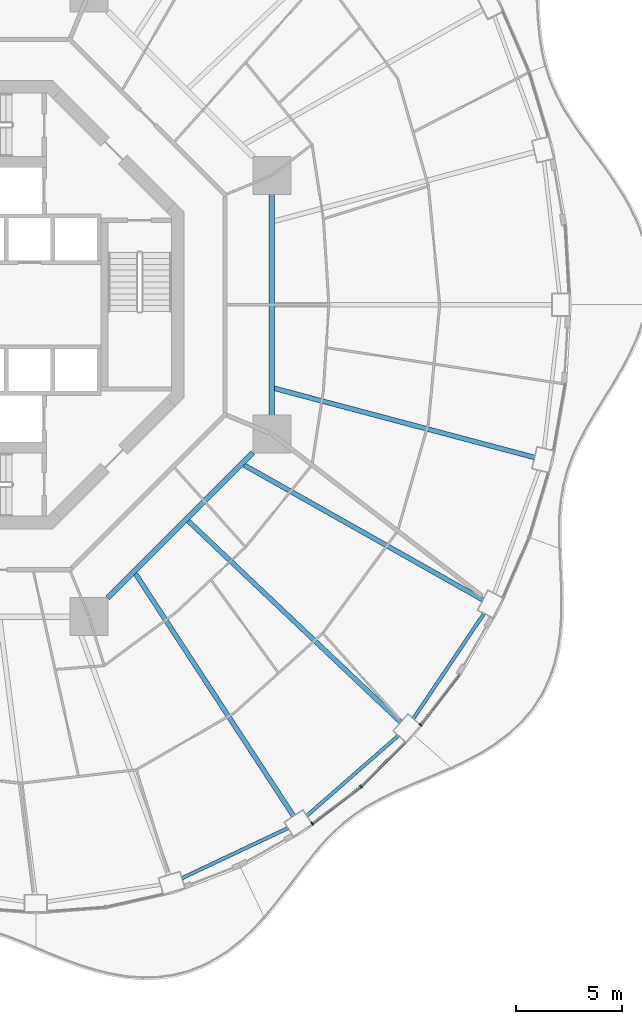
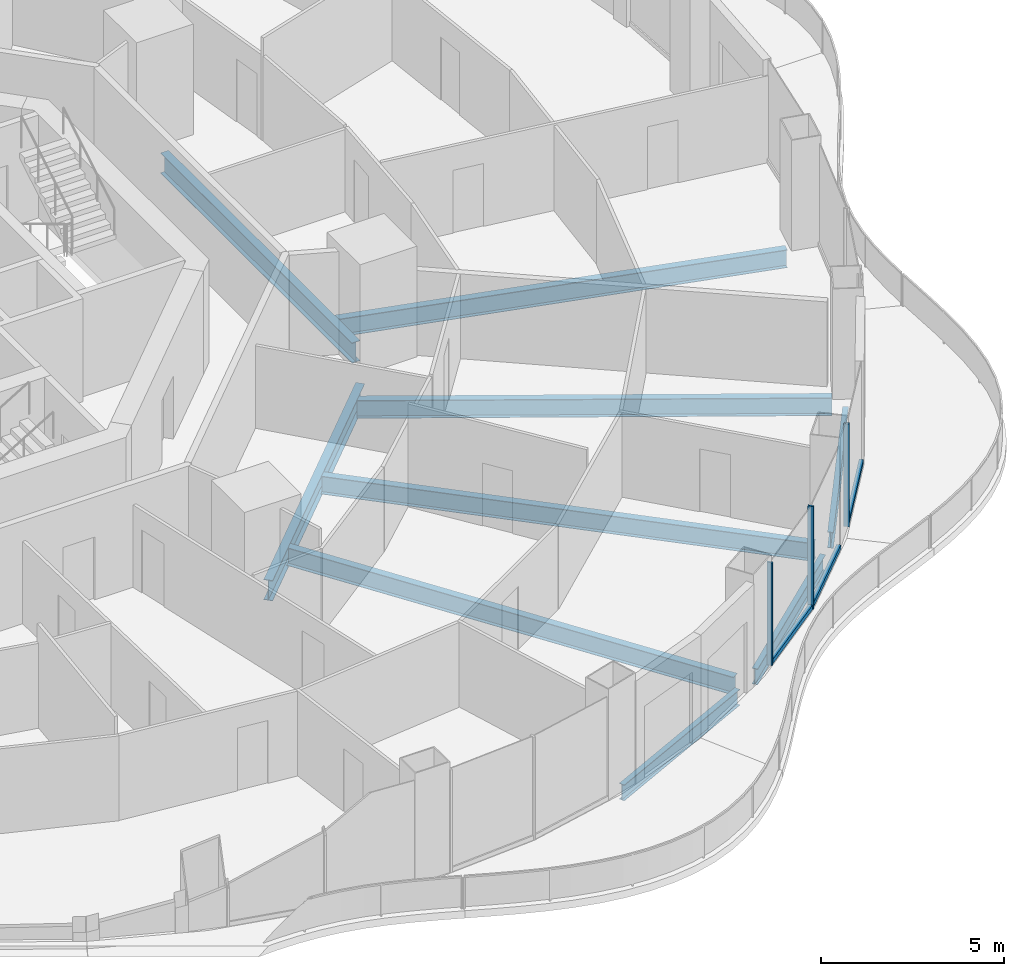
# One storey, part 4 of 19: 9 beams, 6 members, 3 elements without a shape of their own.
"""IFC4 building model written with IfcOpenShell, lengths in metres."""

from ifc_helpers import new_model, si_unit, direction, frame, origin, origin_2d, place, context, subcontext, project, spatial, rectangle, i_section, extrude, material, layer, layer_set, material_profile, profile_set, type_object, element, aggregate, save


model = new_model("IFC4")

# Units and contexts
model_context = context("Model", 3, precision=1e-05, world=origin(), true_north=direction((0.0, 1.0)))
body_context = subcontext(model_context, "Body", "Model", "MODEL_VIEW")
ifc_project = project(units=[si_unit("LENGTHUNIT", "METRE"), si_unit("AREAUNIT", "SQUARE_METRE"), si_unit("VOLUMEUNIT", "CUBIC_METRE"), si_unit("PLANEANGLEUNIT", "RADIAN"), si_unit("MASSUNIT", "GRAM", prefix="KILO")], contexts=[model_context])

# Site, building, storey
site_placement = place(None, origin())
site = spatial("IfcSite", under=ifc_project, at=site_placement, CompositionType="ELEMENT")
building_placement = place(site_placement, origin())
building = spatial("IfcBuilding", under=site, at=building_placement, Name="Nagisa Residences", CompositionType="ELEMENT")
storey_placement = place(building_placement, frame((0.0, 0.0, 184.39990234375)))
storey = spatial("IfcBuildingStorey", under=building, at=storey_placement, Name="L46", CompositionType="ELEMENT", Elevation=184.39990234375)

# Curtain wall, member
ifc_material_1 = material(Name="Concrete-coloured aluminium curtain wall system", Category="concrete")
ifc_layer = layer(ifc_material_1, 0.159912109375)
ifc_layer_set = layer_set([ifc_layer], Name="CW1 CURTAIN WALL")
curtain_wall_type = type_object("IfcCurtainWallType", Name="CW1 CURTAIN WALL", PredefinedType="NOTDEFINED", material=ifc_layer_set)
curtain_wall_1_placement = place(storey_placement, origin())
curtain_wall_1 = element("IfcCurtainWall", 1, at=curtain_wall_1_placement, inside=storey, type_object=curtain_wall_type, Name="cw:CW1:L46:40", PredefinedType="NOTDEFINED")
ifc_material_2 = material(Name="Concrete-coloured aluminium", Category="concrete")
ifc_material_profile_1 = material_profile(ifc_material_2, rectangle(XDim=0.159912109375, YDim=0.06005859375, at=origin_2d()), Name="CW1 MULLION 160x60")
ifc_profile_set_1 = profile_set([ifc_material_profile_1], Name="Concrete-coloured aluminium")
member_type_1 = type_object("IfcMemberType", Name="CW1 MULLION 160x60", PredefinedType="MULLION", material=ifc_profile_set_1)
member_1_placement = place(storey_placement, frame((16.70068359375, -24.591796875, 0.0), z_axis=(0.0, 0.0, 1.0), x_axis=(-0.605255421737, 0.79603132756, 0.0)))
member_1 = element("IfcMember", 2, at=member_1_placement, type_object=member_type_1, Name="CW1 mullion", PredefinedType="MULLION", context=body_context, shape_type="SweptSolid", body=[
    extrude(rectangle(XDim=0.159912109375, YDim=0.06005859375, at=origin_2d()), origin(), (0.0, 0.0, 1.0), 3.440185546875),
])

curtain_wall_2_placement = place(storey_placement, origin())
curtain_wall_2 = element("IfcCurtainWall", 3, at=curtain_wall_2_placement, inside=storey, type_object=curtain_wall_type, Name="cw:CW1:L46:41", PredefinedType="NOTDEFINED")
member_2_placement = place(storey_placement, frame((19.011962890625, -22.830322265625, 0.0), z_axis=(0.0, 0.0, 1.0), x_axis=(-0.706376885714, 0.707835924016, 0.0)))
member_2 = element("IfcMember", 4, at=member_2_placement, type_object=member_type_1, Name="CW1 mullion", PredefinedType="MULLION", context=body_context, shape_type="SweptSolid", body=[
    extrude(rectangle(XDim=0.159912109375, YDim=0.06005859375, at=origin_2d()), origin(), (0.0, 0.0, 1.0), 3.440185546875),
])

curtain_wall_3_placement = place(storey_placement, origin())
curtain_wall_3 = element("IfcCurtainWall", 5, at=curtain_wall_3_placement, inside=storey, type_object=curtain_wall_type, Name="cw:CW1:L46:42", PredefinedType="NOTDEFINED")
member_3_placement = place(storey_placement, frame((21.83349609375, -19.909423828125, 0.0), z_axis=(0.0, 0.0, 1.0), x_axis=(-0.792070340816, 0.610429828235, 0.0)))
member_3 = element("IfcMember", 6, at=member_3_placement, type_object=member_type_1, Name="CW1 mullion", PredefinedType="MULLION", context=body_context, shape_type="SweptSolid", body=[
    extrude(rectangle(XDim=0.159912109375, YDim=0.06005859375, at=origin_2d()), origin(), (0.0, 0.0, 1.0), 3.440185546875),
])

# Member
ifc_material_3 = material(Name="Concrete-coloured aluminium", Category="concrete")
ifc_material_profile_2 = material_profile(ifc_material_3, rectangle(XDim=0.1201171875, YDim=0.14990234375, at=origin_2d()), Name="CW1 TRANSOM 120x150")
ifc_profile_set_2 = profile_set([ifc_material_profile_2], Name="Concrete-coloured aluminium")
member_type_2 = type_object("IfcMemberType", Name="CW1 TRANSOM 120x150", PredefinedType="USERDEFINED", material=ifc_profile_set_2)
member_4_placement = place(storey_placement, frame((16.677001953125, -24.60986328125, 0.0751953125), z_axis=(0.796025072301, 0.60526364856, 0.0), x_axis=(-0.60526364856, 0.796025072301, 0.0)))
member_4 = element("IfcMember", 7, at=member_4_placement, type_object=member_type_2, Name="CW1 transom", ObjectType="TRANSOM", PredefinedType="USERDEFINED", context=body_context, shape_type="SweptSolid", body=[
    extrude(rectangle(XDim=0.1201171875, YDim=0.14990234375, at=origin_2d()), origin(), (0.0, 0.0, 1.0), 2.916748046875),
])

aggregate(curtain_wall_1, [member_1, member_4])

member_5_placement = place(storey_placement, frame((18.99072265625, -22.8515625, 0.0751953125), z_axis=(0.707803821372, 0.706409053206, 0.0), x_axis=(-0.706409053206, 0.707803821372, 0.0)))
member_5 = element("IfcMember", 8, at=member_5_placement, type_object=member_type_2, Name="CW1 transom", ObjectType="TRANSOM", PredefinedType="USERDEFINED", context=body_context, shape_type="SweptSolid", body=[
    extrude(rectangle(XDim=0.1201171875, YDim=0.14990234375, at=origin_2d()), origin(), (0.0, 0.0, 1.0), 2.9755859375),
])

aggregate(curtain_wall_2, [member_2, member_5])

member_6_placement = place(storey_placement, frame((21.815185546875, -19.933349609375, 0.0751953125), z_axis=(0.610398538814, 0.792094453846, 0.0), x_axis=(-0.792094453846, 0.610398538814, 0.0)))
member_6 = element("IfcMember", 9, at=member_6_placement, type_object=member_type_2, Name="CW1 transom", ObjectType="TRANSOM", PredefinedType="USERDEFINED", context=body_context, shape_type="SweptSolid", body=[
    extrude(rectangle(XDim=0.1201171875, YDim=0.14990234375, at=origin_2d()), origin(), (0.0, 0.0, 1.0), 3.035400390625),
])

aggregate(curtain_wall_3, [member_3, member_6])

# Beams
ifc_material_4 = material(Name="Steel ASTM A572 Gr 50", Category="steel")
ifc_material_profile_3 = material_profile(ifc_material_4, i_section(OverallWidth=0.25390625, OverallDepth=0.68408203125, WebThickness=0.012451171875, FlangeThickness=0.018798828125, at=origin_2d()), Name="W690x140")
ifc_profile_set_3 = profile_set([ifc_material_profile_3], Name="Steel ASTM A572 Gr 50")
beam_type_1 = type_object("IfcBeamType", Name="Inner ring beam W690x140", PredefinedType="BEAM", material=ifc_profile_set_3)
beam_1_placement = place(storey_placement, frame((7.0087890625, -13.896240234375, -0.601806640625), z_axis=(0.707106781187, 0.707106781187, 0.0), x_axis=(-0.707106781187, 0.707106781187, 0.0)))
element("IfcBeam", 10, at=beam_1_placement, inside=storey, type_object=beam_type_1, Name="beam:L46:ib7", PredefinedType="BEAM", context=body_context, shape_type="SweptSolid", body=[
    extrude(i_section(OverallWidth=0.25390625, OverallDepth=0.68408203125, WebThickness=0.012451171875, FlangeThickness=0.018798828125, at=origin_2d()), origin(), (0.0, 0.0, 1.0), 9.740234375),
])
beam_2_placement = place(storey_placement, frame((14.781982421875, -5.242919921875, -0.601806640625), z_axis=(0.0, 1.0, 0.0), x_axis=(-1.0, 0.0, 0.0)))
element("IfcBeam", 11, at=beam_2_placement, inside=storey, type_object=beam_type_1, Name="beam:L46:ib8", PredefinedType="BEAM", context=body_context, shape_type="SweptSolid", body=[
    extrude(i_section(OverallWidth=0.25390625, OverallDepth=0.68408203125, WebThickness=0.012451171875, FlangeThickness=0.018798828125, at=origin_2d()), origin(), (0.0, 0.0, 1.0), 10.48583984375),
])
ifc_material_5 = material(Name="Steel ASTM A572 Gr 50", Category="steel")
ifc_material_profile_4 = material_profile(ifc_material_5, i_section(OverallWidth=0.166015625, OverallDepth=0.534912109375, WebThickness=0.01025390625, FlangeThickness=0.0166015625, at=origin_2d()), Name="W530x85")
ifc_profile_set_4 = profile_set([ifc_material_profile_4], Name="Steel ASTM A572 Gr 50")
beam_type_2 = type_object("IfcBeamType", Name="Perimeter ring beam W530x85", PredefinedType="BEAM", material=ifc_profile_set_4)
beam_3_placement = place(storey_placement, frame((10.522705078125, -27.17919921875, -0.52734375), z_axis=(0.904157325884, 0.427199637232, 0.0), x_axis=(-0.427199637232, 0.904157325884, 0.0)))
element("IfcBeam", 12, at=beam_3_placement, inside=storey, type_object=beam_type_2, Name="beam:L46:pb20", PredefinedType="BEAM", context=body_context, shape_type="SweptSolid", body=[
    extrude(i_section(OverallWidth=0.166015625, OverallDepth=0.534912109375, WebThickness=0.01025390625, FlangeThickness=0.0166015625, at=origin_2d()), origin(), (0.0, 0.0, 1.0), 5.56396484375),
])
beam_4_placement = place(storey_placement, frame((16.440185546875, -24.220947265625, -0.52734375), z_axis=(0.752461486776, 0.658636250838, 0.0), x_axis=(-0.658636250838, 0.752461486776, 0.0)))
element("IfcBeam", 13, at=beam_4_placement, inside=storey, type_object=beam_type_2, Name="beam:L46:pb21", PredefinedType="BEAM", context=body_context, shape_type="SweptSolid", body=[
    extrude(i_section(OverallWidth=0.166015625, OverallDepth=0.534912109375, WebThickness=0.01025390625, FlangeThickness=0.0166015625, at=origin_2d()), origin(), (0.0, 0.0, 1.0), 5.776611328125),
])
beam_5_placement = place(storey_placement, frame((21.487548828125, -19.62060546875, -0.52734375), z_axis=(0.558152301307, 0.829738518177, 0.0), x_axis=(-0.829738518177, 0.558152301307, 0.0)))
element("IfcBeam", 14, at=beam_5_placement, inside=storey, type_object=beam_type_2, Name="beam:L46:pb22", PredefinedType="BEAM", context=body_context, shape_type="SweptSolid", body=[
    extrude(i_section(OverallWidth=0.166015625, OverallDepth=0.534912109375, WebThickness=0.01025390625, FlangeThickness=0.0166015625, at=origin_2d()), origin(), (0.0, 0.0, 1.0), 6.013916015625),
])
ifc_material_6 = material(Name="Steel ASTM A572 Gr 50", Category="steel")
ifc_material_profile_5 = material_profile(ifc_material_6, i_section(OverallWidth=0.22802734375, OverallDepth=0.60302734375, WebThickness=0.010498046875, FlangeThickness=0.014892578125, at=origin_2d()), Name="W610x101")
ifc_profile_set_5 = profile_set([ifc_material_profile_5], Name="Steel ASTM A572 Gr 50")
beam_type_3 = type_object("IfcBeamType", Name="Radial beam W610x101", PredefinedType="BEAM", material=ifc_profile_set_5)
beam_6_placement = place(storey_placement, frame((15.816162109375, -24.234375, -0.5615234375), z_axis=(-0.546541244511, 0.837432187135, 0.0), x_axis=(-0.837432187135, -0.546541244511, 0.0)))
element("IfcBeam", 15, at=beam_6_placement, inside=storey, type_object=beam_type_3, Name="beam:L46:rb21", PredefinedType="BEAM", context=body_context, shape_type="SweptSolid", body=[
    extrude(i_section(OverallWidth=0.22802734375, OverallDepth=0.60302734375, WebThickness=0.010498046875, FlangeThickness=0.014892578125, at=origin_2d()), origin(), (0.0, 0.0, 1.0), 13.72412109375),
])
beam_7_placement = place(storey_placement, frame((20.89501953125, -19.785400390625, -0.5615234375), z_axis=(-0.726119962477, 0.687568033064, 0.0), x_axis=(-0.687568033064, -0.726119962477, 0.0)))
element("IfcBeam", 16, at=beam_7_placement, inside=storey, type_object=beam_type_3, Name="beam:L46:rb22", PredefinedType="BEAM", context=body_context, shape_type="SweptSolid", body=[
    extrude(i_section(OverallWidth=0.22802734375, OverallDepth=0.60302734375, WebThickness=0.010498046875, FlangeThickness=0.014892578125, at=origin_2d()), origin(), (0.0, 0.0, 1.0), 13.88134765625),
])
beam_8_placement = place(storey_placement, frame((24.789306640625, -13.98828125, -0.5615234375), z_axis=(-0.870904520395, 0.491452252366, 0.0), x_axis=(-0.491452252366, -0.870904520395, 0.0)))
element("IfcBeam", 17, at=beam_8_placement, inside=storey, type_object=beam_type_3, Name="beam:L46:rb23", PredefinedType="BEAM", context=body_context, shape_type="SweptSolid", body=[
    extrude(i_section(OverallWidth=0.22802734375, OverallDepth=0.60302734375, WebThickness=0.010498046875, FlangeThickness=0.014892578125, at=origin_2d()), origin(), (0.0, 0.0, 1.0), 13.007080078125),
])
beam_9_placement = place(storey_placement, frame((27.23583984375, -7.239990234375, -0.5615234375), z_axis=(-0.966436061719, 0.256907256826, 0.0), x_axis=(-0.256907256826, -0.966436061719, 0.0)))
element("IfcBeam", 18, at=beam_9_placement, inside=storey, type_object=beam_type_3, Name="beam:L46:rb24", PredefinedType="BEAM", context=body_context, shape_type="SweptSolid", body=[
    extrude(i_section(OverallWidth=0.22802734375, OverallDepth=0.60302734375, WebThickness=0.010498046875, FlangeThickness=0.014892578125, at=origin_2d()), origin(), (0.0, 0.0, 1.0), 12.77490234375),
])

save(model, "model.ifc")
